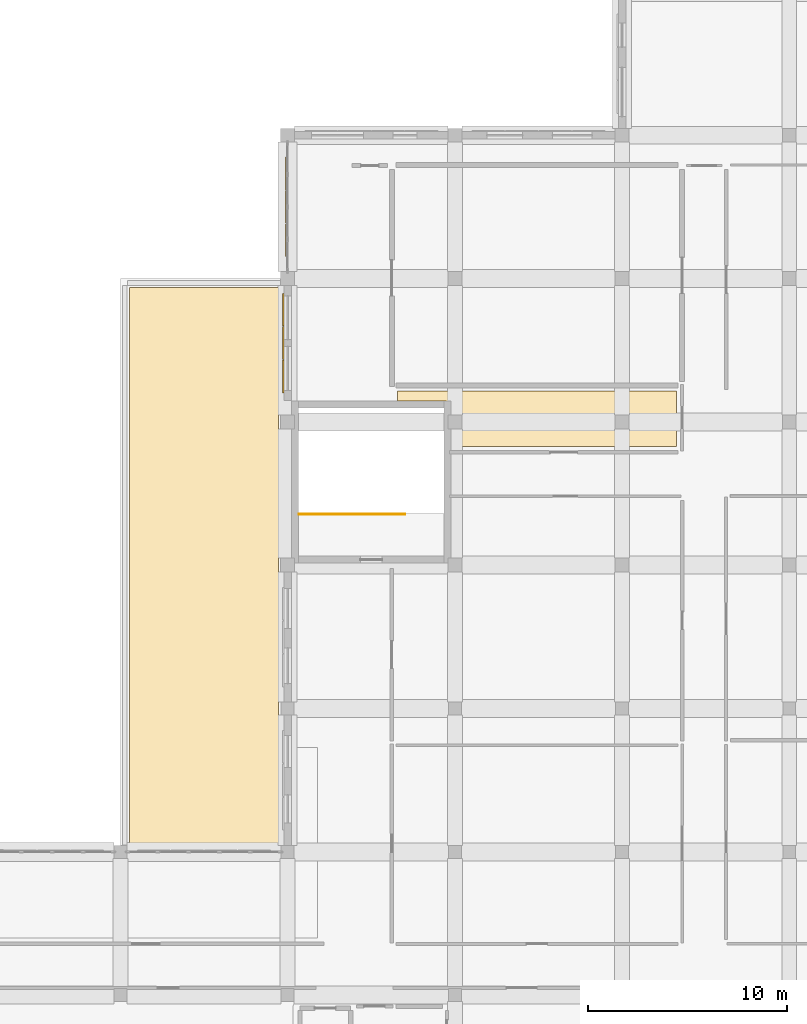
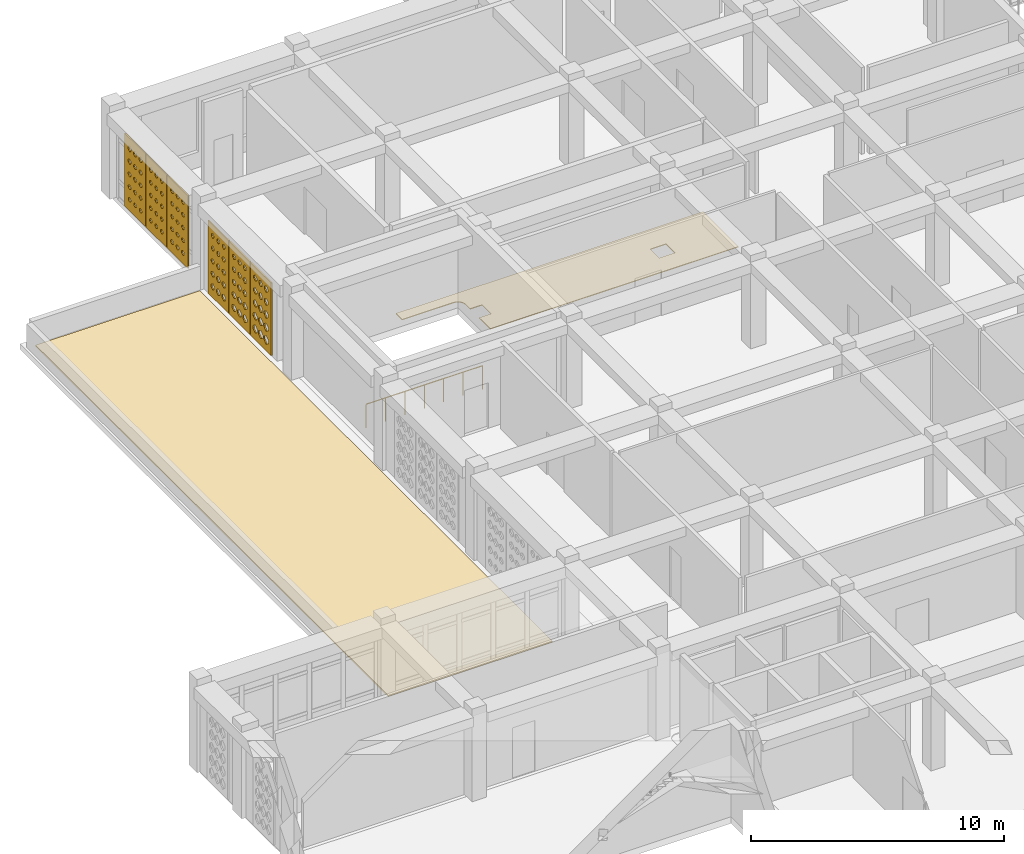
# One storey, part 69 of 79: 8 coverings, 1 railing.
"""IFC4 building model written with IfcOpenShell, lengths in metres."""

from ifc_helpers import new_model, si_unit, derived_unit, direction, frame, origin, origin_2d, place, context, subcontext, project, spatial, polyline, circle, outline, extrude, material, layer, layer_set, type_object, element, save


model = new_model("IFC4")

# Units and contexts
model_context = context("Model", 3, precision=1e-05, world=origin(), true_north=direction((0.0, 1.0)))
body_context = subcontext(model_context, "Body", "Model", "MODEL_VIEW")
ifc_project = project(units=[si_unit("LENGTHUNIT", "METRE"), si_unit("AREAUNIT", "SQUARE_METRE"), si_unit("VOLUMEUNIT", "CUBIC_METRE"), si_unit("PLANEANGLEUNIT", "RADIAN"), si_unit("MASSUNIT", "GRAM", prefix="KILO"), derived_unit("THERMALTRANSMITTANCEUNIT", [(si_unit("POWERUNIT", "WATT"), 1), (si_unit("LENGTHUNIT", "METRE"), -2), (si_unit("THERMODYNAMICTEMPERATUREUNIT", "KELVIN"), -1)])], contexts=[model_context])

# Site, building, storey
site_placement = place(None, origin())
site = spatial("IfcSite", under=ifc_project, at=site_placement, CompositionType="ELEMENT")
building_placement = place(site_placement, origin())
building = spatial("IfcBuilding", under=site, at=building_placement, Name="Veybourne Emporium", CompositionType="ELEMENT")
storey_placement = place(building_placement, frame((0.0, 0.0, 18.89990234375)))
storey = spatial("IfcBuildingStorey", under=building, at=storey_placement, Name="L04", CompositionType="ELEMENT", Elevation=18.89990234375)

# Covering
ifc_material_1 = material(Name="European Oak Parquet", Category="wood")
ifc_layer_1 = layer(ifc_material_1, 0.034912109375)
ifc_layer_set_1 = layer_set([ifc_layer_1], Name="European Oak Parquet")
covering_type_1 = type_object("IfcCoveringType", Name="Flooring_FLR-02", PredefinedType="FLOORING", material=ifc_layer_set_1)
covering_1_placement = place(storey_placement, origin())
element("IfcCovering", 1, at=covering_1_placement, inside=storey, type_object=covering_type_1, Name="L04 floor finish 06", PredefinedType="FLOORING", context=body_context, shape_type="SweptSolid", body=[
    extrude(outline(polyline([(25.010009765625, 70.760009765625), (25.010009765625, 71.64501953125), (25.554931640625, 71.64501953125), (25.554931640625, 72.35498046875), (25.010009765625, 72.35498046875), (25.010009765625, 72.699951171875), (25.009765625, 72.709716796875), (25.009033203125, 72.7255859375), (25.007080078125, 72.744873046875), (25.0048828125, 72.760498046875), (25.0009765625, 72.77978515625), (24.9970703125, 72.795166015625), (24.991455078125, 72.81396484375), (24.986083984375, 72.82861328125), (24.978515625, 72.8466796875), (24.971923828125, 72.86083984375), (24.962646484375, 72.878173828125), (24.95458984375, 72.8916015625), (24.943603515625, 72.908203125), (24.934326171875, 72.920654296875), (24.921875, 72.935791015625), (24.911376953125, 72.947265625), (24.8974609375, 72.96142578125), (24.8857421875, 72.971923828125), (24.87060546875, 72.984375), (24.858154296875, 72.99365234375), (24.841796875, 73.004638671875), (24.828125, 73.0126953125), (24.81103515625, 73.02197265625), (24.796630859375, 73.028564453125), (24.778564453125, 73.0361328125), (24.763916015625, 73.04150390625), (24.7451171875, 73.047119140625), (24.729736328125, 73.051025390625), (24.71044921875, 73.0546875), (24.695068359375, 73.05712890625), (24.675537109375, 73.05908203125), (24.659912109375, 73.059814453125), (24.64990234375, 73.06005859375), (22.31005859375, 73.06005859375), (22.31005859375, 73.550048828125), (36.340087890625, 73.550048828125), (36.340087890625, 70.760009765625), (25.010009765625, 70.760009765625)]), holes=[polyline([(33.2451171875, 72.35498046875), (33.2451171875, 71.64501953125), (33.955078125, 71.64501953125), (33.955078125, 72.35498046875), (33.2451171875, 72.35498046875)])]), origin(), (0.0, 0.0, 1.0), 0.03515625),
])

# Railing
ifc_material_2 = material(Name="Brushed Stainless Steel", Category="steel")
railing_type = type_object("IfcRailingType", Name="Guard_GR-01", PredefinedType="GUARDRAIL", material=ifc_material_2)
railing_placement = place(storey_placement, frame((17.3701171875, 67.360107421875, 0.0)))
element("IfcRailing", 2, at=railing_placement, inside=storey, type_object=railing_type, Name="L04 ST-08 top well guardrail", PredefinedType="GUARDRAIL", context=body_context, shape_type="SweptSolid", body=[
    extrude(circle(Radius=0.02392578125, at=origin_2d()), frame((0.0, 0.0, 1.1259765625), z_axis=(1.0, 0.0, 0.0), x_axis=(0.0, 1.0, 0.0)), (0.0, 0.0, 1.0), 5.31982421875),
    extrude(circle(Radius=0.02099609375, at=origin_2d()), origin(), (0.0, 0.0, 1.0), 1.101806640625),
    extrude(circle(Radius=0.02099609375, at=origin_2d()), frame((0.88671875, 0.0, 0.0)), (0.0, 0.0, 1.0), 1.101806640625),
    extrude(circle(Radius=0.02099609375, at=origin_2d()), frame((1.773193359375, 0.0, 0.0)), (0.0, 0.0, 1.0), 1.101806640625),
    extrude(circle(Radius=0.02099609375, at=origin_2d()), frame((2.659912109375, 0.0, 0.0)), (0.0, 0.0, 1.0), 1.101806640625),
    extrude(circle(Radius=0.02099609375, at=origin_2d()), frame((3.546630859375, 0.0, 0.0)), (0.0, 0.0, 1.0), 1.101806640625),
    extrude(circle(Radius=0.02099609375, at=origin_2d()), frame((4.43310546875, 0.0, 0.0)), (0.0, 0.0, 1.0), 1.101806640625),
    extrude(circle(Radius=0.02099609375, at=origin_2d()), frame((5.31982421875, 0.0, 0.0)), (0.0, 0.0, 1.0), 1.101806640625),
])

# Coverings
ifc_material_3 = material(Name="Single-Ply Warm Roof Membrane", Category="membrane")
ifc_layer_2 = layer(ifc_material_3, 0.06005859375)
ifc_layer_set_2 = layer_set([ifc_layer_2], Name="Single-Ply Warm Roof Membrane")
covering_type_2 = type_object("IfcCoveringType", Name="Roofing_RFG-01", PredefinedType="ROOFING", material=ifc_layer_set_2)
covering_2_placement = place(storey_placement, origin())
element("IfcCovering", 3, at=covering_2_placement, inside=storey, type_object=covering_type_2, Name="L04 warm-roof waterproofing membrane 2.1", PredefinedType="ROOFING", context=body_context, shape_type="SweptSolid", body=[
    extrude(outline(polyline([(8.85009765625, 78.75), (16.35009765625, 78.75), (16.35009765625, 50.85009765625), (8.85009765625, 50.85009765625), (8.85009765625, 78.75)])), origin(), (0.0, 0.0, 1.0), 0.06005859375),
])
ifc_material_4 = material(Name="Warm-White Perforated Aluminium Screen Alloy", Category="aluminium")
ifc_layer_3 = layer(ifc_material_4, 0.06005859375)
ifc_layer_set_3 = layer_set([ifc_layer_3], Name="Warm-White Perforated Aluminium Screen Alloy")
covering_type_3 = type_object("IfcCoveringType", Name="WaveScreen_SCR-01", PredefinedType="CLADDING", material=ifc_layer_set_3)
covering_3_placement = place(storey_placement, frame((16.702880859375, 82.800048828125, 1.815185546875), z_axis=(1.0, 0.0, 0.0), x_axis=(0.0, 1.0, 0.0)))
element("IfcCovering", 4, at=covering_3_placement, inside=storey, type_object=covering_type_3, Name="L04 wave-perforated aluminium screen SCR-01 (18C.2)", PredefinedType="CLADDING", context=body_context, shape_type="SweptSolid", body=[
    extrude(outline(polyline([(-0.81982421875, -1.7548828125), (0.81982421875, -1.7548828125), (0.81982421875, 1.7548828125), (-0.81982421875, 1.7548828125), (-0.81982421875, -1.7548828125)]), holes=[polyline([(-0.433349609375, -1.114990234375), (-0.330810546875, -1.187255859375), (-0.330810546875, -1.268798828125), (-0.433349609375, -1.3408203125), (-0.53564453125, -1.268798828125), (-0.53564453125, -1.187255859375), (-0.433349609375, -1.114990234375)]), polyline([(-0.433349609375, -0.503662109375), (-0.3330078125, -0.57421875), (-0.3330078125, -0.65380859375), (-0.433349609375, -0.724365234375), (-0.53369140625, -0.65380859375), (-0.53369140625, -0.57421875), (-0.433349609375, -0.503662109375)]), polyline([(-0.433349609375, 0.110107421875), (-0.3330078125, 0.039794921875), (-0.3330078125, -0.039794921875), (-0.433349609375, -0.110107421875), (-0.533447265625, -0.039794921875), (-0.533447265625, 0.039794921875), (-0.433349609375, 0.110107421875)]), polyline([(-0.433349609375, 0.7265625), (-0.331298828125, 0.654541015625), (-0.331298828125, 0.573486328125), (-0.433349609375, 0.50146484375), (-0.535400390625, 0.573486328125), (-0.535400390625, 0.654541015625), (-0.433349609375, 0.7265625)]), polyline([(-0.433349609375, 1.34521484375), (-0.327392578125, 1.270263671875), (-0.327392578125, 1.185791015625), (-0.433349609375, 1.11083984375), (-0.539306640625, 1.185791015625), (-0.539306640625, 1.270263671875), (-0.433349609375, 1.34521484375)]), polyline([(0.0, -1.116455078125), (0.101318359375, -1.18798828125), (0.101318359375, -1.26806640625), (0.0, -1.339599609375), (-0.101318359375, -1.26806640625), (-0.101318359375, -1.18798828125), (0.0, -1.116455078125)]), polyline([(0.0, -0.50390625), (0.10009765625, -0.574462890625), (0.10009765625, -0.653564453125), (0.0, -0.72412109375), (-0.10009765625, -0.653564453125), (-0.10009765625, -0.574462890625), (0.0, -0.50390625)]), polyline([(0.0, 0.111083984375), (0.100830078125, 0.0400390625), (0.100830078125, -0.0400390625), (0.0, -0.111083984375), (-0.100830078125, -0.0400390625), (-0.100830078125, 0.0400390625), (0.0, 0.111083984375)]), polyline([(0.0, 0.728271484375), (0.103515625, 0.6552734375), (0.103515625, 0.57275390625), (0.0, 0.499755859375), (-0.103515625, 0.57275390625), (-0.103515625, 0.6552734375), (0.0, 0.728271484375)]), polyline([(0.0, 1.347900390625), (0.108154296875, 1.271240234375), (0.108154296875, 1.184814453125), (0.0, 1.10791015625), (-0.108154296875, 1.184814453125), (-0.108154296875, 1.271240234375), (0.0, 1.347900390625)]), polyline([(0.433349609375, -1.117431640625), (0.53369140625, -1.188232421875), (0.53369140625, -1.267822265625), (0.433349609375, -1.33837890625), (0.3330078125, -1.267822265625), (0.3330078125, -1.188232421875), (0.433349609375, -1.117431640625)]), polyline([(0.433349609375, -0.50390625), (0.533447265625, -0.57421875), (0.533447265625, -0.65380859375), (0.433349609375, -0.72412109375), (0.333251953125, -0.65380859375), (0.333251953125, -0.57421875), (0.433349609375, -0.50390625)]), polyline([(0.433349609375, 0.1123046875), (0.53515625, 0.040283203125), (0.53515625, -0.040283203125), (0.433349609375, -0.1123046875), (0.33154296875, -0.040283203125), (0.33154296875, 0.040283203125), (0.433349609375, 0.1123046875)]), polyline([(0.433349609375, 0.730712890625), (0.538818359375, 0.656005859375), (0.538818359375, 0.572021484375), (0.433349609375, 0.497314453125), (0.327880859375, 0.572021484375), (0.327880859375, 0.656005859375), (0.433349609375, 0.730712890625)]), polyline([(0.433349609375, 1.351318359375), (0.544189453125, 1.2724609375), (0.544189453125, 1.18359375), (0.433349609375, 1.104736328125), (0.322509765625, 1.18359375), (0.322509765625, 1.2724609375), (0.433349609375, 1.351318359375)])]), origin(), (0.0, 0.0, 1.0), 0.06005859375),
])
ifc_layer_4 = layer(ifc_material_4, 0.06005859375)
ifc_layer_set_4 = layer_set([ifc_layer_4], Name="Warm-White Perforated Aluminium Screen Alloy")
covering_type_4 = type_object("IfcCoveringType", Name="WaveScreen_SCR-02", PredefinedType="CLADDING", material=ifc_layer_set_4)
covering_4_placement = place(storey_placement, frame((16.552001953125, 74.280029296875, 1.815185546875), z_axis=(1.0, 0.0, 0.0), x_axis=(0.0, 1.0, 0.0)))
element("IfcCovering", 5, at=covering_4_placement, inside=storey, type_object=covering_type_4, Name="L04 wave-perforated aluminium screen SCR-02 (16.1)", PredefinedType="CLADDING", context=body_context, shape_type="SweptSolid", body=[
    extrude(outline(polyline([(-0.81982421875, -1.7548828125), (0.81982421875, -1.7548828125), (0.81982421875, 1.7548828125), (-0.81982421875, 1.7548828125), (-0.81982421875, -1.7548828125)]), holes=[polyline([(-0.433349609375, -1.014404296875), (-0.24853515625, -1.151123046875), (-0.24853515625, -1.304931640625), (-0.433349609375, -1.44140625), (-0.617919921875, -1.304931640625), (-0.617919921875, -1.151123046875), (-0.433349609375, -1.014404296875)]), polyline([(-0.433349609375, -0.414306640625), (-0.260009765625, -0.542236328125), (-0.260009765625, -0.685791015625), (-0.433349609375, -0.813720703125), (-0.606689453125, -0.685791015625), (-0.606689453125, -0.542236328125), (-0.433349609375, -0.414306640625)]), polyline([(-0.433349609375, 0.185302734375), (-0.271484375, 0.066650390625), (-0.271484375, -0.066650390625), (-0.433349609375, -0.185302734375), (-0.594970703125, -0.066650390625), (-0.594970703125, 0.066650390625), (-0.433349609375, 0.185302734375)]), polyline([(-0.433349609375, 0.785400390625), (-0.283203125, 0.67578125), (-0.283203125, 0.55224609375), (-0.433349609375, 0.442626953125), (-0.58349609375, 0.55224609375), (-0.58349609375, 0.67578125), (-0.433349609375, 0.785400390625)]), polyline([(-0.433349609375, 1.385986328125), (-0.2939453125, 1.284912109375), (-0.2939453125, 1.171142578125), (-0.433349609375, 1.06982421875), (-0.57275390625, 1.171142578125), (-0.57275390625, 1.284912109375), (-0.433349609375, 1.385986328125)]), polyline([(0.0, -1.020751953125), (0.1796875, -1.1533203125), (0.1796875, -1.302490234375), (0.0, -1.435302734375), (-0.1796875, -1.302490234375), (-0.1796875, -1.1533203125), (0.0, -1.020751953125)]), polyline([(0.0, -0.4208984375), (0.16796875, -0.54443359375), (0.16796875, -0.68359375), (0.0, -0.80712890625), (-0.16796875, -0.68359375), (-0.16796875, -0.54443359375), (0.0, -0.4208984375)]), polyline([(0.0, 0.178955078125), (0.156494140625, 0.064453125), (0.156494140625, -0.064453125), (0.0, -0.178955078125), (-0.156494140625, -0.064453125), (-0.156494140625, 0.064453125), (0.0, 0.178955078125)]), polyline([(0.0, 0.779296875), (0.145263671875, 0.673583984375), (0.145263671875, 0.554443359375), (0.0, 0.44873046875), (-0.145263671875, 0.554443359375), (-0.145263671875, 0.673583984375), (0.0, 0.779296875)]), polyline([(0.0, 1.38037109375), (0.134765625, 1.282958984375), (0.134765625, 1.173095703125), (0.0, 1.07568359375), (-0.134765625, 1.173095703125), (-0.134765625, 1.282958984375), (0.0, 1.38037109375)]), polyline([(0.433349609375, -1.027099609375), (0.607666015625, -1.15576171875), (0.607666015625, -1.30029296875), (0.433349609375, -1.428955078125), (0.259033203125, -1.30029296875), (0.259033203125, -1.15576171875), (0.433349609375, -1.027099609375)]), polyline([(0.433349609375, -0.42724609375), (0.59619140625, -0.546875), (0.59619140625, -0.68115234375), (0.433349609375, -0.80078125), (0.2705078125, -0.68115234375), (0.2705078125, -0.546875), (0.433349609375, -0.42724609375)]), polyline([(0.433349609375, 0.172607421875), (0.584716796875, 0.062255859375), (0.584716796875, -0.062255859375), (0.433349609375, -0.172607421875), (0.281982421875, -0.062255859375), (0.281982421875, 0.062255859375), (0.433349609375, 0.172607421875)]), polyline([(0.433349609375, 0.773193359375), (0.57373046875, 0.67138671875), (0.57373046875, 0.556640625), (0.433349609375, 0.45458984375), (0.29296875, 0.556640625), (0.29296875, 0.67138671875), (0.433349609375, 0.773193359375)]), polyline([(0.433349609375, 1.375), (0.5634765625, 1.281005859375), (0.5634765625, 1.175048828125), (0.433349609375, 1.0810546875), (0.30322265625, 1.175048828125), (0.30322265625, 1.281005859375), (0.433349609375, 1.375)])]), origin(), (0.0, 0.0, 1.0), 0.06005859375),
])
covering_5_placement = place(storey_placement, frame((16.702880859375, 84.47998046875, 1.815185546875), z_axis=(1.0, 0.0, 0.0), x_axis=(0.0, 1.0, 0.0)))
element("IfcCovering", 6, at=covering_5_placement, inside=storey, type_object=covering_type_4, Name="L04 wave-perforated aluminium screen SCR-02 (18C.3)", PredefinedType="CLADDING", context=body_context, shape_type="SweptSolid", body=[
    extrude(outline(polyline([(-0.81982421875, -1.7548828125), (0.81982421875, -1.7548828125), (0.81982421875, 1.7548828125), (-0.81982421875, 1.7548828125), (-0.81982421875, -1.7548828125)]), holes=[polyline([(-0.433349609375, -1.117919921875), (-0.333251953125, -1.1884765625), (-0.333251953125, -1.267578125), (-0.433349609375, -1.337890625), (-0.533447265625, -1.267578125), (-0.533447265625, -1.1884765625), (-0.433349609375, -1.117919921875)]), polyline([(-0.433349609375, -0.502197265625), (-0.331787109375, -0.57373046875), (-0.331787109375, -0.654296875), (-0.433349609375, -0.725830078125), (-0.534912109375, -0.654296875), (-0.534912109375, -0.57373046875), (-0.433349609375, -0.502197265625)]), polyline([(-0.433349609375, 0.11572265625), (-0.32861328125, 0.041748046875), (-0.32861328125, -0.041748046875), (-0.433349609375, -0.11572265625), (-0.5380859375, -0.041748046875), (-0.5380859375, 0.041748046875), (-0.433349609375, 0.11572265625)]), polyline([(-0.433349609375, 0.736083984375), (-0.323486328125, 0.657958984375), (-0.323486328125, 0.570068359375), (-0.433349609375, 0.49169921875), (-0.543212890625, 0.570068359375), (-0.543212890625, 0.657958984375), (-0.433349609375, 0.736083984375)]), polyline([(-0.433349609375, 1.358642578125), (-0.31640625, 1.27490234375), (-0.31640625, 1.180908203125), (-0.433349609375, 1.097412109375), (-0.55029296875, 1.180908203125), (-0.55029296875, 1.27490234375), (-0.433349609375, 1.358642578125)]), polyline([(0.0, -1.117431640625), (0.100341796875, -1.188232421875), (0.100341796875, -1.267822265625), (0.0, -1.33837890625), (-0.100341796875, -1.267822265625), (-0.100341796875, -1.188232421875), (0.0, -1.117431640625)]), polyline([(0.0, -0.500732421875), (0.102783203125, -0.5732421875), (0.102783203125, -0.65478515625), (0.0, -0.727294921875), (-0.102783203125, -0.65478515625), (-0.102783203125, -0.5732421875), (0.0, -0.500732421875)]), polyline([(0.0, 0.118408203125), (0.10693359375, 0.04248046875), (0.10693359375, -0.04248046875), (0.0, -0.118408203125), (-0.10693359375, -0.04248046875), (-0.10693359375, 0.04248046875), (0.0, 0.118408203125)]), polyline([(0.0, 0.73974609375), (0.11279296875, 0.6591796875), (0.11279296875, 0.568603515625), (0.0, 0.48828125), (-0.11279296875, 0.568603515625), (-0.11279296875, 0.6591796875), (0.0, 0.73974609375)]), polyline([(0.0, 1.363037109375), (0.12060546875, 1.276611328125), (0.12060546875, 1.179443359375), (0.0, 1.093017578125), (-0.12060546875, 1.179443359375), (-0.12060546875, 1.276611328125), (0.0, 1.363037109375)]), polyline([(0.433349609375, -1.116455078125), (0.53466796875, -1.18798828125), (0.53466796875, -1.26806640625), (0.433349609375, -1.339599609375), (0.33203125, -1.26806640625), (0.33203125, -1.18798828125), (0.433349609375, -1.116455078125)]), polyline([(0.433349609375, -0.49853515625), (0.53759765625, -0.572509765625), (0.53759765625, -0.655517578125), (0.433349609375, -0.7294921875), (0.328857421875, -0.655517578125), (0.328857421875, -0.572509765625), (0.433349609375, -0.49853515625)]), polyline([(0.433349609375, 0.12158203125), (0.542724609375, 0.043701171875), (0.542724609375, -0.043701171875), (0.433349609375, -0.12158203125), (0.323974609375, -0.043701171875), (0.323974609375, 0.043701171875), (0.433349609375, 0.12158203125)]), polyline([(0.433349609375, 0.74365234375), (0.549560546875, 0.66064453125), (0.549560546875, 0.5673828125), (0.433349609375, 0.484375), (0.317138671875, 0.5673828125), (0.317138671875, 0.66064453125), (0.433349609375, 0.74365234375)]), polyline([(0.433349609375, 1.367919921875), (0.5576171875, 1.2783203125), (0.5576171875, 1.177734375), (0.433349609375, 1.088134765625), (0.308837890625, 1.177734375), (0.308837890625, 1.2783203125), (0.433349609375, 1.367919921875)])]), origin(), (0.0, 0.0, 1.0), 0.06005859375),
])
ifc_layer_5 = layer(ifc_material_4, 0.06005859375)
ifc_layer_set_5 = layer_set([ifc_layer_5], Name="Warm-White Perforated Aluminium Screen Alloy")
covering_type_5 = type_object("IfcCoveringType", Name="WaveScreen_SCR-03", PredefinedType="CLADDING", material=ifc_layer_set_5)
covering_6_placement = place(storey_placement, frame((16.552001953125, 75.9599609375, 1.815185546875), z_axis=(1.0, 0.0, 0.0), x_axis=(0.0, 1.0, 0.0)))
element("IfcCovering", 7, at=covering_6_placement, inside=storey, type_object=covering_type_5, Name="L04 wave-perforated aluminium screen SCR-03 (16.2)", PredefinedType="CLADDING", context=body_context, shape_type="SweptSolid", body=[
    extrude(outline(polyline([(-0.81982421875, -1.7548828125), (0.81982421875, -1.7548828125), (0.81982421875, 1.7548828125), (-0.81982421875, 1.7548828125), (-0.81982421875, -1.7548828125)]), holes=[polyline([(-0.433349609375, -1.039306640625), (-0.268798828125, -1.159912109375), (-0.268798828125, -1.2958984375), (-0.433349609375, -1.416748046875), (-0.597900390625, -1.2958984375), (-0.597900390625, -1.159912109375), (-0.433349609375, -1.039306640625)]), polyline([(-0.433349609375, -0.439208984375), (-0.2802734375, -0.551025390625), (-0.2802734375, -0.677001953125), (-0.433349609375, -0.788818359375), (-0.586181640625, -0.677001953125), (-0.586181640625, -0.551025390625), (-0.433349609375, -0.439208984375)]), polyline([(-0.433349609375, 0.1611328125), (-0.29150390625, 0.05810546875), (-0.29150390625, -0.05810546875), (-0.433349609375, -0.1611328125), (-0.5751953125, -0.05810546875), (-0.5751953125, 0.05810546875), (-0.433349609375, 0.1611328125)]), polyline([(-0.433349609375, 0.7626953125), (-0.3017578125, 0.66748046875), (-0.3017578125, 0.560546875), (-0.433349609375, 0.46533203125), (-0.56494140625, 0.560546875), (-0.56494140625, 0.66748046875), (-0.433349609375, 0.7626953125)]), polyline([(-0.433349609375, 1.365234375), (-0.31103515625, 1.27734375), (-0.31103515625, 1.1787109375), (-0.433349609375, 1.0908203125), (-0.5556640625, 1.1787109375), (-0.5556640625, 1.27734375), (-0.433349609375, 1.365234375)]), polyline([(0.0, -1.045654296875), (0.1591796875, -1.162353515625), (0.1591796875, -1.293701171875), (0.0, -1.410400390625), (-0.1591796875, -1.293701171875), (-0.1591796875, -1.162353515625), (0.0, -1.045654296875)]), polyline([(0.0, -0.445556640625), (0.14794921875, -0.55322265625), (0.14794921875, -0.6748046875), (0.0, -0.782470703125), (-0.14794921875, -0.6748046875), (-0.14794921875, -0.55322265625), (0.0, -0.445556640625)]), polyline([(0.0, 0.155517578125), (0.13720703125, 0.055908203125), (0.13720703125, -0.055908203125), (0.0, -0.155517578125), (-0.13720703125, -0.055908203125), (-0.13720703125, 0.055908203125), (0.0, 0.155517578125)]), polyline([(0.0, 0.75732421875), (0.127197265625, 0.66552734375), (0.127197265625, 0.5625), (0.0, 0.470703125), (-0.127197265625, 0.5625), (-0.127197265625, 0.66552734375), (0.0, 0.75732421875)]), polyline([(0.0, 1.360595703125), (0.11865234375, 1.27587890625), (0.11865234375, 1.18017578125), (0.0, 1.09521484375), (-0.11865234375, 1.18017578125), (-0.11865234375, 1.27587890625), (0.0, 1.360595703125)]), polyline([(0.433349609375, -1.052001953125), (0.58740234375, -1.16455078125), (0.58740234375, -1.29150390625), (0.433349609375, -1.404052734375), (0.279296875, -1.29150390625), (0.279296875, -1.16455078125), (0.433349609375, -1.052001953125)]), polyline([(0.433349609375, -0.451416015625), (0.576416015625, -0.555419921875), (0.576416015625, -0.672607421875), (0.433349609375, -0.776611328125), (0.290283203125, -0.672607421875), (0.290283203125, -0.555419921875), (0.433349609375, -0.451416015625)]), polyline([(0.433349609375, 0.14990234375), (0.56591796875, 0.053955078125), (0.56591796875, -0.053955078125), (0.433349609375, -0.14990234375), (0.30078125, -0.053955078125), (0.30078125, 0.053955078125), (0.433349609375, 0.14990234375)]), polyline([(0.433349609375, 0.752197265625), (0.556396484375, 0.663818359375), (0.556396484375, 0.564208984375), (0.433349609375, 0.4755859375), (0.310302734375, 0.564208984375), (0.310302734375, 0.663818359375), (0.433349609375, 0.752197265625)]), polyline([(0.433349609375, 1.3564453125), (0.54833984375, 1.274169921875), (0.54833984375, 1.181884765625), (0.433349609375, 1.099609375), (0.318115234375, 1.181884765625), (0.318115234375, 1.274169921875), (0.433349609375, 1.3564453125)])]), origin(), (0.0, 0.0, 1.0), 0.06005859375),
])
ifc_layer_6 = layer(ifc_material_4, 0.06005859375)
ifc_layer_set_6 = layer_set([ifc_layer_6], Name="Warm-White Perforated Aluminium Screen Alloy")
covering_type_6 = type_object("IfcCoveringType", Name="WaveScreen_SCR-04", PredefinedType="CLADDING", material=ifc_layer_set_6)
covering_7_placement = place(storey_placement, frame((16.552001953125, 77.639892578125, 1.815185546875), z_axis=(1.0, 0.0, 0.0), x_axis=(0.0, 1.0, 0.0)))
element("IfcCovering", 8, at=covering_7_placement, inside=storey, type_object=covering_type_6, Name="L04 wave-perforated aluminium screen SCR-04 (16.3)", PredefinedType="CLADDING", context=body_context, shape_type="SweptSolid", body=[
    extrude(outline(polyline([(-0.81982421875, -1.7548828125), (0.81982421875, -1.7548828125), (0.81982421875, 1.7548828125), (-0.81982421875, 1.7548828125), (-0.81982421875, -1.7548828125)]), holes=[polyline([(-0.433349609375, -1.063720703125), (-0.288818359375, -1.168701171875), (-0.288818359375, -1.287109375), (-0.433349609375, -1.392333984375), (-0.577880859375, -1.287109375), (-0.577880859375, -1.168701171875), (-0.433349609375, -1.063720703125)]), polyline([(-0.433349609375, -0.46240234375), (-0.29931640625, -0.559326171875), (-0.29931640625, -0.668701171875), (-0.433349609375, -0.765625), (-0.5673828125, -0.668701171875), (-0.5673828125, -0.559326171875), (-0.433349609375, -0.46240234375)]), polyline([(-0.433349609375, 0.139892578125), (-0.308837890625, 0.05029296875), (-0.308837890625, -0.05029296875), (-0.433349609375, -0.139892578125), (-0.557861328125, -0.05029296875), (-0.557861328125, 0.05029296875), (-0.433349609375, 0.139892578125)]), polyline([(-0.433349609375, 0.743896484375), (-0.317138671875, 0.66064453125), (-0.317138671875, 0.5673828125), (-0.433349609375, 0.484130859375), (-0.549560546875, 0.5673828125), (-0.549560546875, 0.66064453125), (-0.433349609375, 0.743896484375)]), polyline([(-0.433349609375, 1.349609375), (-0.323974609375, 1.271728515625), (-0.323974609375, 1.18408203125), (-0.433349609375, 1.1064453125), (-0.542724609375, 1.18408203125), (-0.542724609375, 1.271728515625), (-0.433349609375, 1.349609375)]), polyline([(0.0, -1.069580078125), (0.1396484375, -1.1708984375), (0.1396484375, -1.284912109375), (0.0, -1.386474609375), (-0.1396484375, -1.284912109375), (-0.1396484375, -1.1708984375), (0.0, -1.069580078125)]), polyline([(0.0, -0.468017578125), (0.12939453125, -0.561279296875), (0.12939453125, -0.66650390625), (0.0, -0.760009765625), (-0.12939453125, -0.66650390625), (-0.12939453125, -0.561279296875), (0.0, -0.468017578125)]), polyline([(0.0, 0.135009765625), (0.12060546875, 0.048583984375), (0.12060546875, -0.048583984375), (0.0, -0.135009765625), (-0.12060546875, -0.048583984375), (-0.12060546875, 0.048583984375), (0.0, 0.135009765625)]), polyline([(0.0, 0.73974609375), (0.113037109375, 0.6591796875), (0.113037109375, 0.568603515625), (0.0, 0.48828125), (-0.113037109375, 0.568603515625), (-0.113037109375, 0.6591796875), (0.0, 0.73974609375)]), polyline([(0.0, 1.346435546875), (0.10693359375, 1.270751953125), (0.10693359375, 1.185302734375), (0.0, 1.109619140625), (-0.10693359375, 1.185302734375), (-0.10693359375, 1.270751953125), (0.0, 1.346435546875)]), polyline([(0.433349609375, -1.0751953125), (0.568359375, -1.173095703125), (0.568359375, -1.282958984375), (0.433349609375, -1.380615234375), (0.29833984375, -1.282958984375), (0.29833984375, -1.173095703125), (0.433349609375, -1.0751953125)]), polyline([(0.433349609375, -0.47314453125), (0.55859375, -0.563232421875), (0.55859375, -0.664794921875), (0.433349609375, -0.7548828125), (0.30810546875, -0.664794921875), (0.30810546875, -0.563232421875), (0.433349609375, -0.47314453125)]), polyline([(0.433349609375, 0.130615234375), (0.55029296875, 0.047119140625), (0.55029296875, -0.047119140625), (0.433349609375, -0.130615234375), (0.31640625, -0.047119140625), (0.31640625, 0.047119140625), (0.433349609375, 0.130615234375)]), polyline([(0.433349609375, 0.736083984375), (0.54345703125, 0.657958984375), (0.54345703125, 0.570068359375), (0.433349609375, 0.49169921875), (0.3232421875, 0.570068359375), (0.3232421875, 0.657958984375), (0.433349609375, 0.736083984375)]), polyline([(0.433349609375, 1.343994140625), (0.5380859375, 1.269775390625), (0.5380859375, 1.186279296875), (0.433349609375, 1.112060546875), (0.32861328125, 1.186279296875), (0.32861328125, 1.269775390625), (0.433349609375, 1.343994140625)])]), origin(), (0.0, 0.0, 1.0), 0.06005859375),
])
covering_8_placement = place(storey_placement, frame((16.702880859375, 81.1201171875, 1.815185546875), z_axis=(1.0, 0.0, 0.0), x_axis=(0.0, 1.0, 0.0)))
element("IfcCovering", 9, at=covering_8_placement, inside=storey, type_object=covering_type_6, Name="L04 wave-perforated aluminium screen SCR-04 (18C.1)", PredefinedType="CLADDING", context=body_context, shape_type="SweptSolid", body=[
    extrude(outline(polyline([(-0.81982421875, -1.7548828125), (0.81982421875, -1.7548828125), (0.81982421875, 1.7548828125), (-0.81982421875, 1.7548828125), (-0.81982421875, -1.7548828125)]), holes=[polyline([(-0.433349609375, -1.10498046875), (-0.32275390625, -1.18359375), (-0.32275390625, -1.272216796875), (-0.433349609375, -1.35107421875), (-0.5439453125, -1.272216796875), (-0.5439453125, -1.18359375), (-0.433349609375, -1.10498046875)]), polyline([(-0.433349609375, -0.49755859375), (-0.328125, -0.572021484375), (-0.328125, -0.656005859375), (-0.433349609375, -0.73046875), (-0.53857421875, -0.656005859375), (-0.53857421875, -0.572021484375), (-0.433349609375, -0.49755859375)]), polyline([(-0.433349609375, 0.112060546875), (-0.33154296875, 0.040283203125), (-0.33154296875, -0.040283203125), (-0.433349609375, -0.112060546875), (-0.53515625, -0.040283203125), (-0.53515625, 0.040283203125), (-0.433349609375, 0.112060546875)]), polyline([(-0.433349609375, 0.72412109375), (-0.333251953125, 0.653564453125), (-0.333251953125, 0.574462890625), (-0.433349609375, 0.50390625), (-0.533447265625, 0.574462890625), (-0.533447265625, 0.653564453125), (-0.433349609375, 0.72412109375)]), polyline([(-0.433349609375, 1.338623046875), (-0.3330078125, 1.267822265625), (-0.3330078125, 1.188232421875), (-0.433349609375, 1.117431640625), (-0.53369140625, 1.188232421875), (-0.53369140625, 1.267822265625), (-0.433349609375, 1.338623046875)]), polyline([(0.0, -1.108154296875), (0.10791015625, -1.184814453125), (0.10791015625, -1.27099609375), (0.0, -1.347900390625), (-0.10791015625, -1.27099609375), (-0.10791015625, -1.184814453125), (0.0, -1.108154296875)]), polyline([(0.0, -0.499755859375), (0.103515625, -0.572998046875), (0.103515625, -0.655029296875), (0.0, -0.728271484375), (-0.103515625, -0.655029296875), (-0.103515625, -0.572998046875), (0.0, -0.499755859375)]), polyline([(0.0, 0.11083984375), (0.1005859375, 0.039794921875), (0.1005859375, -0.039794921875), (0.0, -0.11083984375), (-0.1005859375, -0.039794921875), (-0.1005859375, 0.039794921875), (0.0, 0.11083984375)]), polyline([(0.0, 0.72412109375), (0.10009765625, 0.653564453125), (0.10009765625, 0.574462890625), (0.0, 0.50390625), (-0.10009765625, 0.574462890625), (-0.10009765625, 0.653564453125), (0.0, 0.72412109375)]), polyline([(0.0, 1.339599609375), (0.101318359375, 1.268310546875), (0.101318359375, 1.187744140625), (0.0, 1.116455078125), (-0.101318359375, 1.187744140625), (-0.101318359375, 1.268310546875), (0.0, 1.339599609375)]), polyline([(0.433349609375, -1.111083984375), (0.5390625, -1.185791015625), (0.5390625, -1.27001953125), (0.433349609375, -1.344970703125), (0.32763671875, -1.27001953125), (0.32763671875, -1.185791015625), (0.433349609375, -1.111083984375)]), polyline([(0.433349609375, -0.501708984375), (0.535400390625, -0.573486328125), (0.535400390625, -0.654541015625), (0.433349609375, -0.726318359375), (0.331298828125, -0.654541015625), (0.331298828125, -0.573486328125), (0.433349609375, -0.501708984375)]), polyline([(0.433349609375, 0.110107421875), (0.533447265625, 0.039794921875), (0.533447265625, -0.039794921875), (0.433349609375, -0.110107421875), (0.333251953125, -0.039794921875), (0.333251953125, 0.039794921875), (0.433349609375, 0.110107421875)]), polyline([(0.433349609375, 0.724365234375), (0.53369140625, 0.65380859375), (0.53369140625, 0.57421875), (0.433349609375, 0.503662109375), (0.3330078125, 0.57421875), (0.3330078125, 0.65380859375), (0.433349609375, 0.724365234375)]), polyline([(0.433349609375, 1.341064453125), (0.535888671875, 1.268798828125), (0.535888671875, 1.187255859375), (0.433349609375, 1.114990234375), (0.330810546875, 1.187255859375), (0.330810546875, 1.268798828125), (0.433349609375, 1.341064453125)])]), origin(), (0.0, 0.0, 1.0), 0.06005859375),
])

save(model, "model.ifc")
